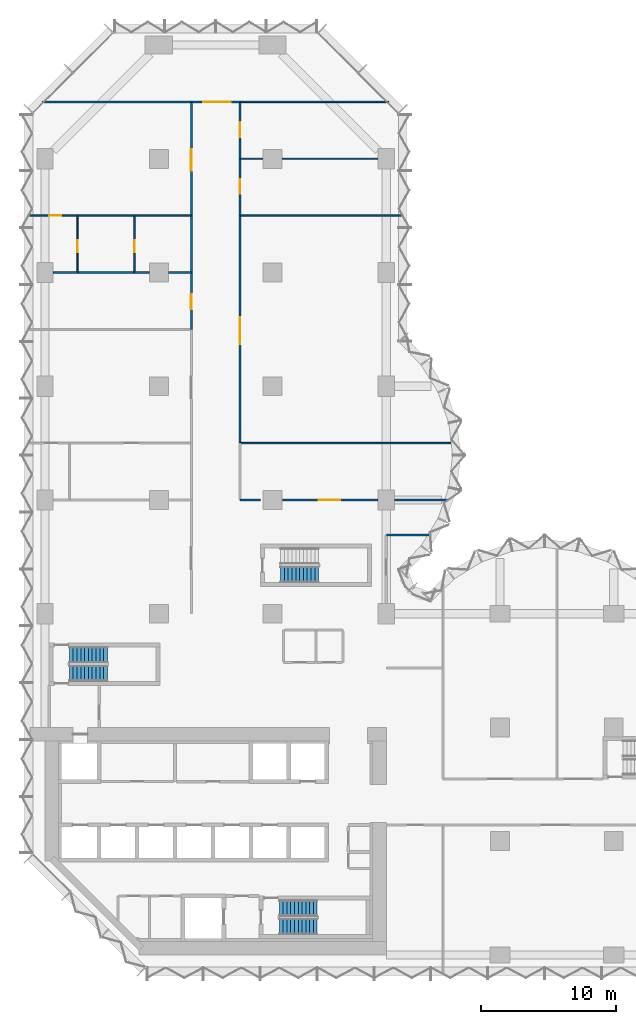
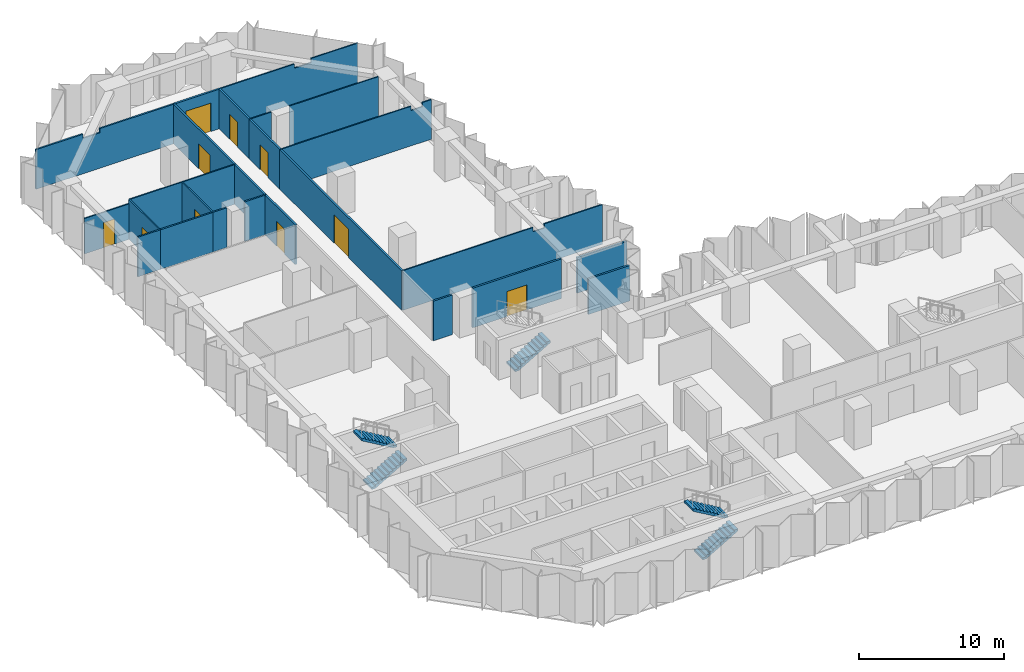
# One storey, part 11 of 15: 26 walls, 10 doors, 5 stair flights, 10 openings, 3 elements without a shape of their own.
"""IFC4 building model written with IfcOpenShell, lengths in metres."""

import ifcopenshell
import ifcopenshell.guid

model = None  # the IFC model being written
_history = None  # IfcOwnerHistory: only IFC2X3 demands one
_inside = {}  # id of a spatial element -> (the spatial element, [elements in it])
_under = {}  # id of a project, library or spatial element -> (it, [spatial elements below it])
_declared = {}  # id of a project -> (the project, [libraries it declares])
_typed = {}  # id of a type object -> (the type object, [elements of that type])
_made_of = {}  # id of a material, layer set ... -> (it, [elements and type objects made of it])


def new_model(schema):
    """Start an empty IFC model of exactly this schema.

    Asked for "IFC4X3", IfcOpenShell would pick the latest addendum, in which some entities
    have other attributes; the version numbers below select the first issue.
    IFC2X3 requires an IfcOwnerHistory on every rooted entity: one is made here for all.
    """
    global model, _history
    if schema == "IFC4X3":
        model = ifcopenshell.file(schema_version=(4, 3, 0, 0))
    else:
        model = ifcopenshell.file(schema=schema)
    _inside.clear()
    _under.clear()
    _declared.clear()
    _typed.clear()
    _made_of.clear()
    _history = None
    if model.schema == "IFC2X3":
        org = make("IfcOrganization", Name="unknown")
        user = make(
            "IfcPersonAndOrganization",
            ThePerson=make("IfcPerson", FamilyName="unknown"),
            TheOrganization=org,
        )
        app = make(
            "IfcApplication",
            ApplicationDeveloper=org,
            Version="unknown",
            ApplicationFullName="unknown",
            ApplicationIdentifier="unknown",
        )
        _history = make(
            "IfcOwnerHistory",
            OwningUser=user,
            OwningApplication=app,
            ChangeAction="ADDED",
            CreationDate=0,
        )
    return model


def make(cls, **values):
    """One entity of the class cls with the attributes given. An attribute that is None is left unset."""
    return model.create_entity(
        cls, **{name: value for name, value in values.items() if value is not None}
    )


def rooted(cls, **values):
    """An entity with a GlobalId (a new one), such as an element, a storey or a relation."""
    return make(cls, GlobalId=ifcopenshell.guid.new(), OwnerHistory=_history, **values)


def si_unit(unit_type, name, prefix=None):
    """IfcSIUnit, for example si_unit("LENGTHUNIT", "METRE", prefix="MILLI")."""
    return make("IfcSIUnit", UnitType=unit_type, Prefix=prefix, Name=name)


def assignment(units):
    """IfcUnitAssignment: the units of a project."""
    return None if units is None else make("IfcUnitAssignment", Units=units)


def point(xyz):
    """IfcCartesianPoint."""
    return None if xyz is None else make("IfcCartesianPoint", Coordinates=xyz)


def direction(xyz):
    """IfcDirection."""
    return None if xyz is None else make("IfcDirection", DirectionRatios=xyz)


def frame(location, z_axis=None, x_axis=None):
    """IfcAxis2Placement3D, a coordinate frame: its origin and axes. An axis left out is left unset."""
    return make(
        "IfcAxis2Placement3D",
        Location=point(location),
        Axis=direction(z_axis),
        RefDirection=direction(x_axis),
    )


def frame_2d(location, x_axis=None):
    """IfcAxis2Placement2D, a coordinate frame in the plane: its origin and x axis."""
    return make(
        "IfcAxis2Placement2D", Location=point(location), RefDirection=direction(x_axis)
    )


def origin():
    """The frame at (0, 0, 0) with its axes left unset."""
    return frame((0.0, 0.0, 0.0))


def place(relative_to, where):
    """IfcLocalPlacement: puts the frame where relative to a parent placement (None: the world)."""
    return make(
        "IfcLocalPlacement", PlacementRelTo=relative_to, RelativePlacement=where
    )


def context(
    kind, dimensions, precision=None, world=None, true_north=None, identifier=None
):
    """IfcGeometricRepresentationContext, for example the 3D "Model" context."""
    return make(
        "IfcGeometricRepresentationContext",
        ContextIdentifier=identifier,
        ContextType=kind,
        CoordinateSpaceDimension=dimensions,
        Precision=precision,
        WorldCoordinateSystem=world,
        TrueNorth=true_north,
    )


def subcontext(parent, identifier, kind, view, scale=None):
    """IfcGeometricRepresentationSubContext, for example "Body" below "Model"."""
    return make(
        "IfcGeometricRepresentationSubContext",
        ContextIdentifier=identifier,
        ContextType=kind,
        ParentContext=parent,
        TargetScale=scale,
        TargetView=view,
    )


def project(units=None, contexts=None):
    """IfcProject with its units and contexts."""
    return rooted(
        "IfcProject",
        Name="project",
        RepresentationContexts=contexts,
        UnitsInContext=assignment(units),
    )


def spatial(cls, under=None, at=None, **own):
    """A site, building, storey or space (cls), placed at a placement, below another one or the project."""
    s = rooted(cls, ObjectPlacement=at, **own)
    if under is not None:
        _under.setdefault(under.id(), (under, []))[1].append(s)
    return s


def polyline(points):
    """IfcPolyline through the points."""
    return make("IfcPolyline", Points=[point(p) for p in points])


def profile(cls, at=None, kind="AREA", **sizes):
    """A parametric profile (cls). Its sizes go by their IFC names, for example OverallWidth=200.0."""
    return make(cls, ProfileType=kind, Position=at, **sizes)


def rectangle(**sizes):
    """IfcRectangleProfileDef."""
    return profile("IfcRectangleProfileDef", **sizes)


def outline(outer, holes=None, kind="AREA"):
    """IfcArbitraryClosedProfileDef: a profile drawn as a closed curve; with holes, ...WithVoids."""
    if holes is None:
        return make("IfcArbitraryClosedProfileDef", ProfileType=kind, OuterCurve=outer)
    return make(
        "IfcArbitraryProfileDefWithVoids",
        ProfileType=kind,
        OuterCurve=outer,
        InnerCurves=holes,
    )


def extrude(swept, where, along, depth):
    """IfcExtrudedAreaSolid: the profile swept, set in the frame where, extruded along a direction by depth."""
    return make(
        "IfcExtrudedAreaSolid",
        SweptArea=swept,
        Position=where,
        ExtrudedDirection=direction(along),
        Depth=depth,
    )


def shape(context_of_items, identifier, shape_type, items):
    """IfcShapeRepresentation: the items that make up one representation, for example the "Body"."""
    return make(
        "IfcShapeRepresentation",
        ContextOfItems=context_of_items,
        RepresentationIdentifier=identifier,
        RepresentationType=shape_type,
        Items=items,
    )


def material(Name=None, Category=None):
    """IfcMaterial."""
    return make("IfcMaterial", Name=Name, Category=Category)


def layer(
    of_material, thickness, ventilated=None, Name=None, Category=None, Priority=None
):
    """IfcMaterialLayer: one layer of a wall or slab, of a material (None: an air gap)."""
    return make(
        "IfcMaterialLayer",
        Material=of_material,
        LayerThickness=thickness,
        IsVentilated=ventilated,
        Name=Name,
        Category=Category,
        Priority=Priority,
    )


def layer_set(layers, Name=None):
    """IfcMaterialLayerSet."""
    return make("IfcMaterialLayerSet", MaterialLayers=layers, LayerSetName=Name)


def made_of(thing, what):
    """Note that an element or type object is made of a material, layer set ...; save() writes the relation."""
    if what is not None:
        _made_of.setdefault(what.id(), (what, []))[1].append(thing)
    return thing


def type_object(cls, material=None, **own):
    """A type object (cls), such as IfcWallType, which elements share."""
    return made_of(rooted(cls, **own), material)


def element(
    cls,
    number,
    at=None,
    inside=None,
    cuts=None,
    type_object=None,
    material=None,
    context=None,
    identifier="Body",
    shape_type=None,
    held_by="IfcProductDefinitionShape",
    body=None,
    shapes=None,
    **own,
):
    """One element of the class cls, such as IfcWall. Its Tag is "e" and its number.

    at: its placement. inside: the storey or other place that contains it. cuts: it is an
    opening in that element (IfcRelVoidsElement). A single representation is given by context,
    identifier, shape_type and body (its items); several are given by shapes. held_by: the class
    of the entity that holds the representations. save() writes the other relations.
    """
    e = rooted(cls, Tag="e%d" % number, ObjectPlacement=at, **own)
    if body is not None:
        shapes = [shape(context, identifier, shape_type, body)]
    if shapes is not None:
        e.Representation = make(held_by, Representations=shapes)
    if inside is not None:
        _inside.setdefault(inside.id(), (inside, []))[1].append(e)
    if cuts is not None:
        rooted(
            "IfcRelVoidsElement", RelatingBuildingElement=cuts, RelatedOpeningElement=e
        )
    if type_object is not None:
        _typed.setdefault(type_object.id(), (type_object, []))[1].append(e)
    return made_of(e, material)


def fill(opening, filler):
    """IfcRelFillsElement: the door or window that sits in an opening."""
    return rooted(
        "IfcRelFillsElement",
        RelatingOpeningElement=opening,
        RelatedBuildingElement=filler,
    )


def aggregate(whole, parts):
    """IfcRelAggregates: a whole, such as a stair, and the parts it consists of."""
    return rooted("IfcRelAggregates", RelatingObject=whole, RelatedObjects=parts)


def save(model, path):
    """Write the relations noted so far, then the file.

    IfcRelAggregates (storeys below a building ...), IfcRelContainedInSpatialStructure (elements
    in a storey), IfcRelDefinesByType, IfcRelAssociatesMaterial and IfcRelDeclares: one each for
    every whole, place, type object, material and project.
    """
    for whole, parts in _under.values():
        aggregate(whole, parts)
    for where, things in _inside.values():
        rooted(
            "IfcRelContainedInSpatialStructure",
            RelatedElements=things,
            RelatingStructure=where,
        )
    for kind, things in _typed.values():
        rooted("IfcRelDefinesByType", RelatedObjects=things, RelatingType=kind)
    for what, things in _made_of.values():
        rooted("IfcRelAssociatesMaterial", RelatedObjects=things, RelatingMaterial=what)
    for by, libraries in _declared.values():
        rooted("IfcRelDeclares", RelatingContext=by, RelatedDefinitions=libraries)
    model.write(path)


model = new_model("IFC4")

# Units and contexts
model_context = context("Model", 3, precision=1e-05, world=origin(), true_north=direction((0.0, 1.0)))
body_context = subcontext(model_context, "Body", "Model", "MODEL_VIEW")
ifc_project = project(units=[si_unit("LENGTHUNIT", "METRE"), si_unit("AREAUNIT", "SQUARE_METRE"), si_unit("VOLUMEUNIT", "CUBIC_METRE"), si_unit("PLANEANGLEUNIT", "RADIAN"), si_unit("MASSUNIT", "GRAM", prefix="KILO")], contexts=[model_context])

# Site, building, storey
site_placement = place(None, origin())
site = spatial("IfcSite", under=ifc_project, at=site_placement, CompositionType="ELEMENT")
building_placement = place(site_placement, origin())
building = spatial("IfcBuilding", under=site, at=building_placement, Name="Brevane Broadcast Tower", CompositionType="ELEMENT")
storey_placement = place(building_placement, frame((0.0, 0.0, 79.699951171875)))
storey = spatial("IfcBuildingStorey", under=building, at=storey_placement, Name="L18", CompositionType="ELEMENT", Elevation=79.699951171875)

# Wall
ifc_material_1 = material(Name="Gypsum board partition")
ifc_layer_1 = layer(ifc_material_1, 0.10009765625)
ifc_layer_set_1 = layer_set([ifc_layer_1], Name="PARTITION 100 STUD")
wall_type_1 = type_object("IfcWallType", Name="PARTITION 100 STUD", PredefinedType="PARTITIONING", material=ifc_layer_set_1)
wall_1_placement = place(storey_placement, frame((25.39990234375, 63.0, 0.0), z_axis=(0.0, 0.0, 1.0), x_axis=(-1.0, 0.0, 0.0)))
element("IfcWall", 1, at=wall_1_placement, inside=storey, type_object=wall_type_1, Name="Partition G05-040", PredefinedType="PARTITIONING", context=body_context, shape_type="SweptSolid", body=[
    extrude(outline(polyline([(0.0, 0.0), (11.0, 0.0), (11.0, 3.330078125), (5.065673828125, 3.330078125), (5.063720703125, 2.97998046875), (3.736328125, 2.97998046875), (3.734375, 3.330078125), (0.0, 3.330078125), (0.0, 0.0)])), frame((0.0, 0.050048828125, 0.0), z_axis=(0.0, -1.0, 0.0), x_axis=(1.0, 0.0, 0.0)), (0.0, 0.0, 1.0), 0.10009765625),
])

# Wall, opening, door
wall_2_placement = place(storey_placement, frame((2.39990234375, 54.60009765625, 0.0), z_axis=(0.0, 0.0, 1.0), x_axis=(-1.0, 0.0, 0.0)))
wall_2 = element("IfcWall", 2, at=wall_2_placement, inside=storey, type_object=wall_type_1, Name="Partition G05-052", PredefinedType="PARTITIONING", context=body_context, shape_type="SweptSolid", body=[
    extrude(rectangle(XDim=3.573974609375, YDim=0.10009765625, at=frame_2d((1.787109375, 0.0))), origin(), (0.0, 0.0, 1.0), 2.97998046875),
])
opening_1_placement = place(wall_2_placement, frame((1.199951171875, 0.0, 0.0)))
opening_1 = element("IfcOpeningElement", 3, at=opening_1_placement, cuts=wall_2, Name="Opening D11-018", PredefinedType="OPENING", context=body_context, shape_type="SweptSolid", body=[
    extrude(rectangle(XDim=0.89990234375, YDim=2.10009765625, at=frame_2d((0.449951171875, 1.050048828125))), frame((0.0, 0.06005859375, 0.0), z_axis=(0.0, -1.0, 0.0), x_axis=(1.0, 0.0, 0.0)), (0.0, 0.0, 1.0), 0.1201171875),
])
ifc_material_2 = material(Name="Timber door leaf", Category="wood")
door_type_1 = type_object("IfcDoorType", Name="DOOR SINGLE 900 INTERNAL", OperationType="SINGLE_SWING_LEFT", PredefinedType="DOOR", material=ifc_material_2)
door_1_placement = place(opening_1_placement, origin())
door_1 = element("IfcDoor", 4, at=door_1_placement, inside=storey, type_object=door_type_1, Name="Door D11-018", OperationType="SINGLE_SWING_LEFT", OverallHeight=2.10009765625, OverallWidth=0.89990234375, PredefinedType="DOOR", context=body_context, shape_type="SweptSolid", body=[
    extrude(rectangle(XDim=0.89990234375, YDim=2.10009765625, at=frame_2d((0.449951171875, 1.050048828125))), frame((0.0, 0.02490234375, 0.0), z_axis=(0.0, -1.0, 0.0), x_axis=(1.0, 0.0, 0.0)), (0.0, 0.0, 1.0), 0.050048828125),
])
fill(opening_1, door_1)

# Walls
wall_3_placement = place(storey_placement, frame((6.60009765625, 54.60009765625, 0.0), z_axis=(0.0, 0.0, 1.0), x_axis=(-1.0, 0.0, 0.0)))
element("IfcWall", 5, at=wall_3_placement, inside=storey, type_object=wall_type_1, Name="Partition G05-053", PredefinedType="PARTITIONING", context=body_context, shape_type="SweptSolid", body=[
    extrude(rectangle(XDim=4.2001953125, YDim=0.10009765625, at=frame_2d((2.10009765625, 0.0))), origin(), (0.0, 0.0, 1.0), 3.330078125),
])
wall_4_placement = place(storey_placement, frame((10.800048828125, 54.60009765625, 0.0), z_axis=(0.0, 0.0, 1.0), x_axis=(-1.0, 0.0, 0.0)))
element("IfcWall", 6, at=wall_4_placement, inside=storey, type_object=wall_type_1, Name="Partition G05-054", PredefinedType="PARTITIONING", context=body_context, shape_type="SweptSolid", body=[
    extrude(rectangle(XDim=4.199951171875, YDim=0.10009765625, at=frame_2d((2.10009765625, 0.0))), origin(), (0.0, 0.0, 1.0), 3.330078125),
])

# Wall, opening, door
wall_5_placement = place(storey_placement, frame((2.39990234375, 54.60009765625, 0.0), z_axis=(0.0, 0.0, 1.0), x_axis=(0.0, -1.0, 0.0)))
wall_5 = element("IfcWall", 7, at=wall_5_placement, inside=storey, type_object=wall_type_1, Name="Partition G05-055", PredefinedType="PARTITIONING", context=body_context, shape_type="SweptSolid", body=[
    extrude(rectangle(XDim=4.2001953125, YDim=0.10009765625, at=frame_2d((2.10009765625, 0.0))), origin(), (0.0, 0.0, 1.0), 3.330078125),
])
opening_2_placement = place(wall_5_placement, frame((1.800048828125, 0.0, 0.0)))
opening_2 = element("IfcOpeningElement", 8, at=opening_2_placement, cuts=wall_5, Name="Opening D11-019", PredefinedType="OPENING", context=body_context, shape_type="SweptSolid", body=[
    extrude(rectangle(XDim=0.89990234375, YDim=2.10009765625, at=frame_2d((0.449951171875, 1.050048828125))), frame((0.0, 0.06005859375, 0.0), z_axis=(0.0, -1.0, 0.0), x_axis=(1.0, 0.0, 0.0)), (0.0, 0.0, 1.0), 0.1201171875),
])
door_2_placement = place(opening_2_placement, origin())
door_2 = element("IfcDoor", 9, at=door_2_placement, inside=storey, type_object=door_type_1, Name="Door D11-019", OperationType="SINGLE_SWING_LEFT", OverallHeight=2.10009765625, OverallWidth=0.89990234375, PredefinedType="DOOR", context=body_context, shape_type="SweptSolid", body=[
    extrude(rectangle(XDim=0.89990234375, YDim=2.10009765625, at=frame_2d((0.449951171875, 1.050048828125))), frame((0.0, 0.02490234375, 0.0), z_axis=(0.0, -1.0, 0.0), x_axis=(1.0, 0.0, 0.0)), (0.0, 0.0, 1.0), 0.050048828125),
])
fill(opening_2, door_2)

wall_6_placement = place(storey_placement, frame((6.60009765625, 54.60009765625, 0.0), z_axis=(0.0, 0.0, 1.0), x_axis=(0.0, -1.0, 0.0)))
wall_6 = element("IfcWall", 10, at=wall_6_placement, inside=storey, type_object=wall_type_1, Name="Partition G05-056", PredefinedType="PARTITIONING", context=body_context, shape_type="SweptSolid", body=[
    extrude(rectangle(XDim=4.2001953125, YDim=0.10009765625, at=frame_2d((2.10009765625, 0.0))), origin(), (0.0, 0.0, 1.0), 3.330078125),
])
opening_3_placement = place(wall_6_placement, frame((1.800048828125, 0.0, 0.0)))
opening_3 = element("IfcOpeningElement", 11, at=opening_3_placement, cuts=wall_6, Name="Opening D11-020", PredefinedType="OPENING", context=body_context, shape_type="SweptSolid", body=[
    extrude(rectangle(XDim=0.89990234375, YDim=2.10009765625, at=frame_2d((0.449951171875, 1.050048828125))), frame((0.0, 0.06005859375, 0.0), z_axis=(0.0, -1.0, 0.0), x_axis=(1.0, 0.0, 0.0)), (0.0, 0.0, 1.0), 0.1201171875),
])
door_3_placement = place(opening_3_placement, origin())
door_3 = element("IfcDoor", 12, at=door_3_placement, inside=storey, type_object=door_type_1, Name="Door D11-020", OperationType="SINGLE_SWING_LEFT", OverallHeight=2.10009765625, OverallWidth=0.89990234375, PredefinedType="DOOR", context=body_context, shape_type="SweptSolid", body=[
    extrude(rectangle(XDim=0.89990234375, YDim=2.10009765625, at=frame_2d((0.449951171875, 1.050048828125))), frame((0.0, 0.02490234375, 0.0), z_axis=(0.0, -1.0, 0.0), x_axis=(1.0, 0.0, 0.0)), (0.0, 0.0, 1.0), 0.050048828125),
])
fill(opening_3, door_3)

# Walls
wall_7_placement = place(storey_placement, frame((14.39990234375, 37.800048828125, 0.0), z_axis=(0.0, 0.0, 1.0), x_axis=(1.0, 0.0, 0.0)))
element("IfcWall", 13, at=wall_7_placement, inside=storey, type_object=wall_type_1, Name="Partition G05-057", PredefinedType="PARTITIONING", context=body_context, shape_type="SweptSolid", body=[
    extrude(outline(polyline([(0.0, 0.0), (15.8427734375, 0.0), (15.8427734375, 3.330078125), (11.25, 3.330078125), (11.248046875, 2.97998046875), (10.35205078125, 2.97998046875), (10.35009765625, 3.330078125), (0.0, 3.330078125), (0.0, 0.0)])), frame((0.0, 0.050048828125, 0.0), z_axis=(0.0, -1.0, 0.0), x_axis=(1.0, 0.0, 0.0)), (0.0, 0.0, 1.0), 0.10009765625),
])
wall_8_placement = place(storey_placement, frame((14.39990234375, 54.60009765625, 0.0), z_axis=(0.0, 0.0, 1.0), x_axis=(1.0, 0.0, 0.0)))
element("IfcWall", 14, at=wall_8_placement, inside=storey, type_object=wall_type_1, Name="Partition G05-058", PredefinedType="PARTITIONING", context=body_context, shape_type="SweptSolid", body=[
    extrude(outline(polyline([(0.0, 0.0), (11.97412109375, 0.0), (11.97412109375, 3.330078125), (11.89990234375, 3.330078125), (11.25, 3.330078125), (11.248046875, 2.97998046875), (10.35205078125, 2.97998046875), (10.35009765625, 3.330078125), (0.0, 3.330078125), (0.0, 0.0)])), frame((0.0, 0.050048828125, 0.0), z_axis=(0.0, -1.0, 0.0), x_axis=(1.0, 0.0, 0.0)), (0.0, 0.0, 1.0), 0.10009765625),
])
wall_9_placement = place(storey_placement, frame((14.39990234375, 58.800048828125, 0.0), z_axis=(0.0, 0.0, 1.0), x_axis=(1.0, 0.0, 0.0)))
element("IfcWall", 15, at=wall_9_placement, inside=storey, type_object=wall_type_1, Name="Partition G05-059", PredefinedType="PARTITIONING", context=body_context, shape_type="SweptSolid", body=[
    extrude(rectangle(XDim=1.68017578125, YDim=0.10009765625, at=frame_2d((0.840087890625, 0.0))), origin(), (0.0, 0.0, 1.0), 3.330078125),
])
wall_10_placement = place(storey_placement, frame((17.52001953125, 58.800048828125, 0.0), z_axis=(0.0, 0.0, 1.0), x_axis=(1.0, 0.0, 0.0)))
element("IfcWall", 16, at=wall_10_placement, inside=storey, type_object=wall_type_1, Name="Partition G05-060", PredefinedType="PARTITIONING", context=body_context, shape_type="SweptSolid", body=[
    extrude(rectangle(XDim=7.06005859375, YDim=0.10009765625, at=frame_2d((3.530029296875, 0.0))), origin(), (0.0, 0.0, 1.0), 3.330078125),
])
ifc_layer_2 = layer(ifc_material_1, 0.125)
ifc_layer_set_2 = layer_set([ifc_layer_2], Name="PARTITION 125 ACOUSTIC")
wall_type_2 = type_object("IfcWallType", Name="PARTITION 125 ACOUSTIC", PredefinedType="PARTITIONING", material=ifc_layer_set_2)
wall_11_placement = place(storey_placement, frame((10.800048828125, 63.0, 0.0), z_axis=(0.0, 0.0, 1.0), x_axis=(-1.0, 0.0, 0.0)))
element("IfcWall", 17, at=wall_11_placement, inside=storey, type_object=wall_type_2, Name="Partition G05-039", PredefinedType="PARTITIONING", context=body_context, shape_type="SweptSolid", body=[
    extrude(outline(polyline([(0.0, 0.0), (11.0, 0.0), (11.0, 3.330078125), (7.278076171875, 3.330078125), (7.276123046875, 2.97998046875), (5.923828125, 2.97998046875), (5.921875, 3.330078125), (0.0, 3.330078125), (0.0, 0.0)])), frame((0.0, 0.0625, 0.0), z_axis=(0.0, -1.0, 0.0), x_axis=(1.0, 0.0, 0.0)), (0.0, 0.0, 1.0), 0.125),
])
wall_12_placement = place(storey_placement, frame((0.6201171875, 50.39990234375, 0.0), z_axis=(0.0, 0.0, 1.0), x_axis=(1.0, 0.0, 0.0)))
element("IfcWall", 18, at=wall_12_placement, inside=storey, type_object=wall_type_2, Name="Partition G05-048", PredefinedType="PARTITIONING", context=body_context, shape_type="SweptSolid", body=[
    extrude(rectangle(XDim=1.77978515625, YDim=0.125, at=frame_2d((0.889892578125, 0.0))), origin(), (0.0, 0.0, 1.0), 3.330078125),
])
wall_13_placement = place(storey_placement, frame((2.39990234375, 50.39990234375, 0.0), z_axis=(0.0, 0.0, 1.0), x_axis=(1.0, 0.0, 0.0)))
element("IfcWall", 19, at=wall_13_placement, inside=storey, type_object=wall_type_2, Name="Partition G05-049", PredefinedType="PARTITIONING", context=body_context, shape_type="SweptSolid", body=[
    extrude(rectangle(XDim=4.2001953125, YDim=0.125, at=frame_2d((2.10009765625, 0.0))), origin(), (0.0, 0.0, 1.0), 3.330078125),
])
wall_14_placement = place(storey_placement, frame((6.60009765625, 50.39990234375, 0.0), z_axis=(0.0, 0.0, 1.0), x_axis=(1.0, 0.0, 0.0)))
element("IfcWall", 20, at=wall_14_placement, inside=storey, type_object=wall_type_2, Name="Partition G05-050", PredefinedType="PARTITIONING", context=body_context, shape_type="SweptSolid", body=[
    extrude(rectangle(XDim=1.079833984375, YDim=0.125, at=frame_2d((0.5400390625, 0.0))), origin(), (0.0, 0.0, 1.0), 3.330078125),
])
wall_15_placement = place(storey_placement, frame((9.1201171875, 50.39990234375, 0.0), z_axis=(0.0, 0.0, 1.0), x_axis=(1.0, 0.0, 0.0)))
element("IfcWall", 21, at=wall_15_placement, inside=storey, type_object=wall_type_2, Name="Partition G05-051", PredefinedType="PARTITIONING", context=body_context, shape_type="SweptSolid", body=[
    extrude(rectangle(XDim=1.679931640625, YDim=0.125, at=frame_2d((0.83984375, 0.0))), origin(), (0.0, 0.0, 1.0), 3.330078125),
])
ifc_layer_3 = layer(ifc_material_1, 0.14990234375)
ifc_layer_set_3 = layer_set([ifc_layer_3], Name="PARTITION 150 EI 60")
wall_type_3 = type_object("IfcWallType", Name="PARTITION 150 EI 60", PredefinedType="PARTITIONING", material=ifc_layer_set_3)
wall_16_placement = place(storey_placement, frame((25.199951171875, 31.0, 0.0), z_axis=(0.0, 0.0, 1.0), x_axis=(1.0, 0.0, 0.0)))
element("IfcWall", 22, at=wall_16_placement, inside=storey, type_object=wall_type_3, Name="Partition G05-006", PredefinedType="PARTITIONING", context=body_context, shape_type="SweptSolid", body=[
    extrude(rectangle(XDim=3.32421875, YDim=0.14990234375, at=frame_2d((1.662109375, 0.0))), origin(), (0.0, 0.0, 1.0), 2.97998046875),
])
wall_17_placement = place(storey_placement, frame((14.39990234375, 33.60009765625, 0.0), z_axis=(0.0, 0.0, 1.0), x_axis=(1.0, 0.0, 0.0)))
element("IfcWall", 23, at=wall_17_placement, inside=storey, type_object=wall_type_3, Name="Partition G05-026", PredefinedType="PARTITIONING", context=body_context, shape_type="SweptSolid", body=[
    extrude(rectangle(XDim=1.5, YDim=0.14990234375, at=frame_2d((0.75, 0.0))), origin(), (0.0, 0.0, 1.0), 3.330078125),
])

# Wall, opening, door
wall_18_placement = place(storey_placement, frame((17.52001953125, 33.60009765625, 0.0), z_axis=(0.0, 0.0, 1.0), x_axis=(1.0, 0.0, 0.0)))
wall_18 = element("IfcWall", 24, at=wall_18_placement, inside=storey, type_object=wall_type_3, Name="Partition G05-027", PredefinedType="PARTITIONING", context=body_context, shape_type="SweptSolid", body=[
    extrude(rectangle(XDim=7.06005859375, YDim=0.14990234375, at=frame_2d((3.530029296875, 0.0))), origin(), (0.0, 0.0, 1.0), 3.330078125),
])
opening_4_placement = place(wall_18_placement, frame((2.699951171875, 0.0, 0.0)))
opening_4 = element("IfcOpeningElement", 25, at=opening_4_placement, cuts=wall_18, Name="Opening D11-021", PredefinedType="OPENING", context=body_context, shape_type="SweptSolid", body=[
    extrude(rectangle(XDim=1.60009765625, YDim=2.10009765625, at=frame_2d((0.800048828125, 1.050048828125))), frame((0.0, 0.0849609375, 0.0), z_axis=(0.0, -1.0, 0.0), x_axis=(1.0, 0.0, 0.0)), (0.0, 0.0, 1.0), 0.169921875),
])
ifc_material_3 = material(Name="Fire-rated timber door leaf", Category="wood")
door_type_2 = type_object("IfcDoorType", Name="DOOR DOUBLE 1600 FD30S", OperationType="DOUBLE_DOOR_SINGLE_SWING", PredefinedType="DOOR", material=ifc_material_3)
door_4_placement = place(opening_4_placement, origin())
door_4 = element("IfcDoor", 26, at=door_4_placement, inside=storey, type_object=door_type_2, Name="Door D11-021", OperationType="DOUBLE_DOOR_SINGLE_SWING", OverallHeight=2.10009765625, OverallWidth=1.60009765625, PredefinedType="DOOR", context=body_context, shape_type="SweptSolid", body=[
    extrude(rectangle(XDim=1.60009765625, YDim=2.10009765625, at=frame_2d((0.800048828125, 1.050048828125))), frame((0.0, 0.02490234375, 0.0), z_axis=(0.0, -1.0, 0.0), x_axis=(1.0, 0.0, 0.0)), (0.0, 0.0, 1.0), 0.050048828125),
])
fill(opening_4, door_4)

# Wall
wall_19_placement = place(storey_placement, frame((25.820068359375, 33.60009765625, 0.0), z_axis=(0.0, 0.0, 1.0), x_axis=(1.0, 0.0, 0.0)))
element("IfcWall", 27, at=wall_19_placement, inside=storey, type_object=wall_type_3, Name="Partition G05-028", PredefinedType="PARTITIONING", context=body_context, shape_type="SweptSolid", body=[
    extrude(rectangle(XDim=3.94189453125, YDim=0.14990234375, at=frame_2d((1.970947265625, 0.0))), origin(), (0.0, 0.0, 1.0), 2.97998046875),
])

# Wall, opening, door
wall_20_placement = place(storey_placement, frame((10.800048828125, 63.0, 0.0), z_axis=(0.0, 0.0, 1.0), x_axis=(1.0, 0.0, 0.0)))
wall_20 = element("IfcWall", 28, at=wall_20_placement, inside=storey, type_object=wall_type_3, Name="Partition G05-029", PredefinedType="PARTITIONING", context=body_context, shape_type="SweptSolid", body=[
    extrude(rectangle(XDim=3.599853515625, YDim=0.14990234375, at=frame_2d((1.7998046875, 0.0))), origin(), (0.0, 0.0, 1.0), 3.330078125),
])
opening_5_placement = place(wall_20_placement, frame((0.89990234375, 0.0, 0.0)))
opening_5 = element("IfcOpeningElement", 29, at=opening_5_placement, cuts=wall_20, Name="Opening D11-011", PredefinedType="OPENING", context=body_context, shape_type="SweptSolid", body=[
    extrude(rectangle(XDim=2.0, YDim=2.39990234375, at=frame_2d((1.0, 1.199951171875))), frame((0.0, 0.0849609375, 0.0), z_axis=(0.0, -1.0, 0.0), x_axis=(1.0, 0.0, 0.0)), (0.0, 0.0, 1.0), 0.169921875),
])
door_type_3 = type_object("IfcDoorType", Name="DOOR DOUBLE 2000 FD30S", OperationType="DOUBLE_DOOR_SINGLE_SWING", PredefinedType="DOOR", material=ifc_material_3)
door_5_placement = place(opening_5_placement, origin())
door_5 = element("IfcDoor", 30, at=door_5_placement, inside=storey, type_object=door_type_3, Name="Door D11-011", OperationType="DOUBLE_DOOR_SINGLE_SWING", OverallHeight=2.39990234375, OverallWidth=2.0, PredefinedType="DOOR", context=body_context, shape_type="SweptSolid", body=[
    extrude(rectangle(XDim=2.0, YDim=2.39990234375, at=frame_2d((1.0, 1.199951171875))), frame((0.0, 0.02490234375, 0.0), z_axis=(0.0, -1.0, 0.0), x_axis=(1.0, 0.0, 0.0)), (0.0, 0.0, 1.0), 0.050048828125),
])
fill(opening_5, door_5)

wall_21_placement = place(storey_placement, frame((10.800048828125, 46.199951171875, 0.0), z_axis=(0.0, 0.0, 1.0), x_axis=(0.0, 1.0, 0.0)))
wall_21 = element("IfcWall", 31, at=wall_21_placement, inside=storey, type_object=wall_type_3, Name="Partition G05-032", PredefinedType="PARTITIONING", context=body_context, shape_type="SweptSolid", body=[
    extrude(rectangle(XDim=4.199951171875, YDim=0.14990234375, at=frame_2d((2.10009765625, 0.0))), origin(), (0.0, 0.0, 1.0), 3.330078125),
])
opening_6_placement = place(wall_21_placement, frame((1.5, 0.0, 0.0)))
opening_6 = element("IfcOpeningElement", 32, at=opening_6_placement, cuts=wall_21, Name="Opening D11-016", PredefinedType="OPENING", context=body_context, shape_type="SweptSolid", body=[
    extrude(rectangle(XDim=1.10009765625, YDim=2.10009765625, at=frame_2d((0.550048828125, 1.050048828125))), frame((0.0, 0.0849609375, 0.0), z_axis=(0.0, -1.0, 0.0), x_axis=(1.0, 0.0, 0.0)), (0.0, 0.0, 1.0), 0.169921875),
])
door_type_4 = type_object("IfcDoorType", Name="DOOR SINGLE 1100 FD30S", OperationType="SINGLE_SWING_LEFT", PredefinedType="DOOR", material=ifc_material_3)
door_6_placement = place(opening_6_placement, origin())
door_6 = element("IfcDoor", 33, at=door_6_placement, inside=storey, type_object=door_type_4, Name="Door D11-016", OperationType="SINGLE_SWING_LEFT", OverallHeight=2.10009765625, OverallWidth=1.10009765625, PredefinedType="DOOR", context=body_context, shape_type="SweptSolid", body=[
    extrude(rectangle(XDim=1.10009765625, YDim=2.10009765625, at=frame_2d((0.550048828125, 1.050048828125))), frame((0.0, 0.02490234375, 0.0), z_axis=(0.0, -1.0, 0.0), x_axis=(1.0, 0.0, 0.0)), (0.0, 0.0, 1.0), 0.050048828125),
])
fill(opening_6, door_6)

wall_22_placement = place(storey_placement, frame((10.800048828125, 54.60009765625, 0.0), z_axis=(0.0, 0.0, 1.0), x_axis=(0.0, 1.0, 0.0)))
wall_22 = element("IfcWall", 34, at=wall_22_placement, inside=storey, type_object=wall_type_3, Name="Partition G05-033", PredefinedType="PARTITIONING", context=body_context, shape_type="SweptSolid", body=[
    extrude(rectangle(XDim=8.39990234375, YDim=0.14990234375, at=frame_2d((4.199951171875, 0.0))), origin(), (0.0, 0.0, 1.0), 3.330078125),
])
opening_7_placement = place(wall_22_placement, frame((3.300048828125, 0.0, 0.0)))
opening_7 = element("IfcOpeningElement", 35, at=opening_7_placement, cuts=wall_22, Name="Opening D11-017", PredefinedType="OPENING", context=body_context, shape_type="SweptSolid", body=[
    extrude(rectangle(XDim=1.60009765625, YDim=2.10009765625, at=frame_2d((0.800048828125, 1.050048828125))), frame((0.0, 0.0849609375, 0.0), z_axis=(0.0, -1.0, 0.0), x_axis=(1.0, 0.0, 0.0)), (0.0, 0.0, 1.0), 0.169921875),
])
door_7_placement = place(opening_7_placement, origin())
door_7 = element("IfcDoor", 36, at=door_7_placement, inside=storey, type_object=door_type_2, Name="Door D11-017", OperationType="DOUBLE_DOOR_SINGLE_SWING", OverallHeight=2.10009765625, OverallWidth=1.60009765625, PredefinedType="DOOR", context=body_context, shape_type="SweptSolid", body=[
    extrude(rectangle(XDim=1.60009765625, YDim=2.10009765625, at=frame_2d((0.800048828125, 1.050048828125))), frame((0.0, 0.02490234375, 0.0), z_axis=(0.0, -1.0, 0.0), x_axis=(1.0, 0.0, 0.0)), (0.0, 0.0, 1.0), 0.050048828125),
])
fill(opening_7, door_7)

# Wall
wall_23_placement = place(storey_placement, frame((10.800048828125, 50.39990234375, 0.0), z_axis=(0.0, 0.0, 1.0), x_axis=(0.0, 1.0, 0.0)))
element("IfcWall", 37, at=wall_23_placement, inside=storey, type_object=wall_type_3, Name="Partition G05-034", PredefinedType="PARTITIONING", context=body_context, shape_type="SweptSolid", body=[
    extrude(rectangle(XDim=4.2001953125, YDim=0.14990234375, at=frame_2d((2.10009765625, 0.0))), origin(), (0.0, 0.0, 1.0), 3.330078125),
])

# Wall, opening, door
wall_24_placement = place(storey_placement, frame((14.39990234375, 54.60009765625, 0.0), z_axis=(0.0, 0.0, 1.0), x_axis=(0.0, -1.0, 0.0)))
wall_24 = element("IfcWall", 38, at=wall_24_placement, inside=storey, type_object=wall_type_3, Name="Partition G05-036", PredefinedType="PARTITIONING", context=body_context, shape_type="SweptSolid", body=[
    extrude(rectangle(XDim=16.800048828125, YDim=0.14990234375, at=frame_2d((8.39990234375, 0.0))), origin(), (0.0, 0.0, 1.0), 3.330078125),
])
opening_8_placement = place(wall_24_placement, frame((7.5, 0.0, 0.0)))
opening_8 = element("IfcOpeningElement", 39, at=opening_8_placement, cuts=wall_24, Name="Opening D11-022", PredefinedType="OPENING", context=body_context, shape_type="SweptSolid", body=[
    extrude(rectangle(XDim=2.0, YDim=2.39990234375, at=frame_2d((1.0, 1.199951171875))), frame((0.0, 0.0849609375, 0.0), z_axis=(0.0, -1.0, 0.0), x_axis=(1.0, 0.0, 0.0)), (0.0, 0.0, 1.0), 0.169921875),
])
door_8_placement = place(opening_8_placement, origin())
door_8 = element("IfcDoor", 40, at=door_8_placement, inside=storey, type_object=door_type_3, Name="Door D11-022", OperationType="DOUBLE_DOOR_SINGLE_SWING", OverallHeight=2.39990234375, OverallWidth=2.0, PredefinedType="DOOR", context=body_context, shape_type="SweptSolid", body=[
    extrude(rectangle(XDim=2.0, YDim=2.39990234375, at=frame_2d((1.0, 1.199951171875))), frame((0.0, 0.02490234375, 0.0), z_axis=(0.0, -1.0, 0.0), x_axis=(1.0, 0.0, 0.0)), (0.0, 0.0, 1.0), 0.050048828125),
])
fill(opening_8, door_8)

wall_25_placement = place(storey_placement, frame((14.39990234375, 58.800048828125, 0.0), z_axis=(0.0, 0.0, 1.0), x_axis=(0.0, -1.0, 0.0)))
wall_25 = element("IfcWall", 41, at=wall_25_placement, inside=storey, type_object=wall_type_3, Name="Partition G05-037", PredefinedType="PARTITIONING", context=body_context, shape_type="SweptSolid", body=[
    extrude(rectangle(XDim=4.199951171875, YDim=0.14990234375, at=frame_2d((2.10009765625, 0.0))), origin(), (0.0, 0.0, 1.0), 3.330078125),
])
opening_9_placement = place(wall_25_placement, frame((1.5, 0.0, 0.0)))
opening_9 = element("IfcOpeningElement", 42, at=opening_9_placement, cuts=wall_25, Name="Opening D11-023", PredefinedType="OPENING", context=body_context, shape_type="SweptSolid", body=[
    extrude(rectangle(XDim=1.10009765625, YDim=2.10009765625, at=frame_2d((0.550048828125, 1.050048828125))), frame((0.0, 0.0849609375, 0.0), z_axis=(0.0, -1.0, 0.0), x_axis=(1.0, 0.0, 0.0)), (0.0, 0.0, 1.0), 0.169921875),
])
door_9_placement = place(opening_9_placement, origin())
door_9 = element("IfcDoor", 43, at=door_9_placement, inside=storey, type_object=door_type_4, Name="Door D11-023", OperationType="SINGLE_SWING_LEFT", OverallHeight=2.10009765625, OverallWidth=1.10009765625, PredefinedType="DOOR", context=body_context, shape_type="SweptSolid", body=[
    extrude(rectangle(XDim=1.10009765625, YDim=2.10009765625, at=frame_2d((0.550048828125, 1.050048828125))), frame((0.0, 0.02490234375, 0.0), z_axis=(0.0, -1.0, 0.0), x_axis=(1.0, 0.0, 0.0)), (0.0, 0.0, 1.0), 0.050048828125),
])
fill(opening_9, door_9)

wall_26_placement = place(storey_placement, frame((14.39990234375, 63.0, 0.0), z_axis=(0.0, 0.0, 1.0), x_axis=(0.0, -1.0, 0.0)))
wall_26 = element("IfcWall", 44, at=wall_26_placement, inside=storey, type_object=wall_type_3, Name="Partition G05-038", PredefinedType="PARTITIONING", context=body_context, shape_type="SweptSolid", body=[
    extrude(rectangle(XDim=4.199951171875, YDim=0.14990234375, at=frame_2d((2.10009765625, 0.0))), origin(), (0.0, 0.0, 1.0), 3.330078125),
])
opening_10_placement = place(wall_26_placement, frame((1.5, 0.0, 0.0)))
opening_10 = element("IfcOpeningElement", 45, at=opening_10_placement, cuts=wall_26, Name="Opening D11-024", PredefinedType="OPENING", context=body_context, shape_type="SweptSolid", body=[
    extrude(rectangle(XDim=1.10009765625, YDim=2.10009765625, at=frame_2d((0.550048828125, 1.050048828125))), frame((0.0, 0.0849609375, 0.0), z_axis=(0.0, -1.0, 0.0), x_axis=(1.0, 0.0, 0.0)), (0.0, 0.0, 1.0), 0.169921875),
])
door_10_placement = place(opening_10_placement, origin())
door_10 = element("IfcDoor", 46, at=door_10_placement, inside=storey, type_object=door_type_4, Name="Door D11-024", OperationType="SINGLE_SWING_LEFT", OverallHeight=2.10009765625, OverallWidth=1.10009765625, PredefinedType="DOOR", context=body_context, shape_type="SweptSolid", body=[
    extrude(rectangle(XDim=1.10009765625, YDim=2.10009765625, at=frame_2d((0.550048828125, 1.050048828125))), frame((0.0, 0.02490234375, 0.0), z_axis=(0.0, -1.0, 0.0), x_axis=(1.0, 0.0, 0.0)), (0.0, 0.0, 1.0), 0.050048828125),
])
fill(opening_10, door_10)

# Stair, stair flights
ifc_material_4 = material(Name="Concrete C50/60", Category="concrete")
stair_type = type_object("IfcStairType", Name="Exit stair 22 risers", PredefinedType="HALF_TURN_STAIR", material=ifc_material_4)
stair_1_placement = place(storey_placement, origin())
stair_1 = element("IfcStair", 47, at=stair_1_placement, inside=storey, type_object=stair_type, Name="L18 Exit stair ST-1", PredefinedType="HALF_TURN_STAIR")
stair_flight_type = type_object("IfcStairFlightType", Name="Exit stair flight 22 risers", PredefinedType="STRAIGHT", material=ifc_material_4)
stair_flight_1_placement = place(storey_placement, frame((1.800048828125, 20.800048828125, 0.0), z_axis=(0.0, 0.0, 1.0), x_axis=(1.0, 0.0, 0.0)))
stair_flight_1 = element("IfcStairFlight", 48, at=stair_flight_1_placement, type_object=stair_flight_type, Name="ST-1 flight 1", NumberOfRisers=11, NumberOfTreads=10, PredefinedType="STRAIGHT", RiserHeight=0.163636364, TreadLength=0.28, context=body_context, shape_type="SweptSolid", body=[
    extrude(outline(polyline([(0.0, 0.0), (0.0, 0.16357421875), (0.280029296875, 0.16357421875), (0.280029296875, 0.327392578125), (0.56005859375, 0.327392578125), (0.56005859375, 0.490966796875), (0.840087890625, 0.490966796875), (0.840087890625, 0.654541015625), (1.1201171875, 0.654541015625), (1.1201171875, 0.818115234375), (1.39990234375, 0.818115234375), (1.39990234375, 0.98193359375), (1.679931640625, 0.98193359375), (1.679931640625, 1.1455078125), (1.9599609375, 1.1455078125), (1.9599609375, 1.30908203125), (2.239990234375, 1.30908203125), (2.239990234375, 1.47265625), (2.52001953125, 1.47265625), (2.52001953125, 1.636474609375), (2.800048828125, 1.636474609375), (2.800048828125, 1.800048828125), (2.800048828125, 1.462646484375), (0.297119140625, 0.0), (0.0, 0.0)])), frame((0.0, 0.60009765625, 0.0), z_axis=(0.0, -1.0, 0.0), x_axis=(1.0, 0.0, 0.0)), (0.0, 0.0, 1.0), 1.199951171875),
])
stair_flight_2_placement = place(storey_placement, frame((4.60009765625, 22.14990234375, 1.800048828125), z_axis=(0.0, 0.0, 1.0), x_axis=(-1.0, 0.0, 0.0)))
stair_flight_2 = element("IfcStairFlight", 49, at=stair_flight_2_placement, type_object=stair_flight_type, Name="ST-1 flight 2", NumberOfRisers=11, NumberOfTreads=10, PredefinedType="STRAIGHT", RiserHeight=0.163636364, TreadLength=0.28, context=body_context, shape_type="SweptSolid", body=[
    extrude(outline(polyline([(0.0, 0.0), (0.0, 0.16357421875), (0.280029296875, 0.16357421875), (0.280029296875, 0.327392578125), (0.56005859375, 0.327392578125), (0.56005859375, 0.490966796875), (0.840087890625, 0.490966796875), (0.840087890625, 0.654541015625), (1.1201171875, 0.654541015625), (1.1201171875, 0.818115234375), (1.39990234375, 0.818115234375), (1.39990234375, 0.98193359375), (1.679931640625, 0.98193359375), (1.679931640625, 1.1455078125), (1.9599609375, 1.1455078125), (1.9599609375, 1.30908203125), (2.239990234375, 1.30908203125), (2.239990234375, 1.47265625), (2.52001953125, 1.47265625), (2.52001953125, 1.636474609375), (2.800048828125, 1.636474609375), (2.800048828125, 1.800048828125), (2.800048828125, 1.462646484375), (0.297119140625, 0.0), (0.0, 0.0)])), frame((0.0, 0.60009765625, 0.0), z_axis=(0.0, -1.0, 0.0), x_axis=(1.0, 0.0, 0.0)), (0.0, 0.0, 1.0), 1.199951171875),
])
aggregate(stair_1, [stair_flight_1, stair_flight_2])

stair_2_placement = place(storey_placement, origin())
stair_2 = element("IfcStair", 50, at=stair_2_placement, inside=storey, type_object=stair_type, Name="L18 Exit stair ST-2", PredefinedType="HALF_TURN_STAIR")
stair_flight_3_placement = place(storey_placement, frame((17.300048828125, 2.10009765625, 0.0), z_axis=(0.0, 0.0, 1.0), x_axis=(1.0, 0.0, 0.0)))
stair_flight_3 = element("IfcStairFlight", 51, at=stair_flight_3_placement, type_object=stair_flight_type, Name="ST-2 flight 1", NumberOfRisers=11, NumberOfTreads=10, PredefinedType="STRAIGHT", RiserHeight=0.163636364, TreadLength=0.28, context=body_context, shape_type="SweptSolid", body=[
    extrude(outline(polyline([(0.0, 0.0), (0.0, 0.16357421875), (0.280029296875, 0.16357421875), (0.280029296875, 0.327392578125), (0.56005859375, 0.327392578125), (0.56005859375, 0.490966796875), (0.840087890625, 0.490966796875), (0.840087890625, 0.654541015625), (1.1201171875, 0.654541015625), (1.1201171875, 0.818115234375), (1.39990234375, 0.818115234375), (1.39990234375, 0.98193359375), (1.679931640625, 0.98193359375), (1.679931640625, 1.1455078125), (1.9599609375, 1.1455078125), (1.9599609375, 1.30908203125), (2.239990234375, 1.30908203125), (2.239990234375, 1.47265625), (2.52001953125, 1.47265625), (2.52001953125, 1.636474609375), (2.800048828125, 1.636474609375), (2.800048828125, 1.800048828125), (2.800048828125, 1.462646484375), (0.297119140625, 0.0), (0.0, 0.0)])), frame((0.0, 0.60009765625, 0.0), z_axis=(0.0, -1.0, 0.0), x_axis=(1.0, 0.0, 0.0)), (0.0, 0.0, 1.0), 1.199951171875),
])
stair_flight_4_placement = place(storey_placement, frame((20.10009765625, 3.449951171875, 1.800048828125), z_axis=(0.0, 0.0, 1.0), x_axis=(-1.0, 0.0, 0.0)))
stair_flight_4 = element("IfcStairFlight", 52, at=stair_flight_4_placement, type_object=stair_flight_type, Name="ST-2 flight 2", NumberOfRisers=11, NumberOfTreads=10, PredefinedType="STRAIGHT", RiserHeight=0.163636364, TreadLength=0.28, context=body_context, shape_type="SweptSolid", body=[
    extrude(outline(polyline([(0.0, 0.0), (0.0, 0.16357421875), (0.280029296875, 0.16357421875), (0.280029296875, 0.327392578125), (0.56005859375, 0.327392578125), (0.56005859375, 0.490966796875), (0.840087890625, 0.490966796875), (0.840087890625, 0.654541015625), (1.1201171875, 0.654541015625), (1.1201171875, 0.818115234375), (1.39990234375, 0.818115234375), (1.39990234375, 0.98193359375), (1.679931640625, 0.98193359375), (1.679931640625, 1.1455078125), (1.9599609375, 1.1455078125), (1.9599609375, 1.30908203125), (2.239990234375, 1.30908203125), (2.239990234375, 1.47265625), (2.52001953125, 1.47265625), (2.52001953125, 1.636474609375), (2.800048828125, 1.636474609375), (2.800048828125, 1.800048828125), (2.800048828125, 1.462646484375), (0.297119140625, 0.0), (0.0, 0.0)])), frame((0.0, 0.60009765625, 0.0), z_axis=(0.0, -1.0, 0.0), x_axis=(1.0, 0.0, 0.0)), (0.0, 0.0, 1.0), 1.199951171875),
])
aggregate(stair_2, [stair_flight_3, stair_flight_4])

# Stair, stair flight
stair_3_placement = place(storey_placement, origin())
stair_3 = element("IfcStair", 53, at=stair_3_placement, inside=storey, type_object=stair_type, Name="L18 Exit stair ST-3", PredefinedType="HALF_TURN_STAIR")
stair_flight_5_placement = place(storey_placement, frame((17.39990234375, 28.10009765625, 0.0), z_axis=(0.0, 0.0, 1.0), x_axis=(1.0, 0.0, 0.0)))
stair_flight_5 = element("IfcStairFlight", 54, at=stair_flight_5_placement, type_object=stair_flight_type, Name="ST-3 flight 1", NumberOfRisers=11, NumberOfTreads=10, PredefinedType="STRAIGHT", RiserHeight=0.163636364, TreadLength=0.28, context=body_context, shape_type="SweptSolid", body=[
    extrude(outline(polyline([(0.0, 0.0), (0.0, 0.16357421875), (0.280029296875, 0.16357421875), (0.280029296875, 0.327392578125), (0.56005859375, 0.327392578125), (0.56005859375, 0.490966796875), (0.840087890625, 0.490966796875), (0.840087890625, 0.654541015625), (1.1201171875, 0.654541015625), (1.1201171875, 0.818115234375), (1.39990234375, 0.818115234375), (1.39990234375, 0.98193359375), (1.679931640625, 0.98193359375), (1.679931640625, 1.1455078125), (1.9599609375, 1.1455078125), (1.9599609375, 1.30908203125), (2.239990234375, 1.30908203125), (2.239990234375, 1.47265625), (2.52001953125, 1.47265625), (2.52001953125, 1.636474609375), (2.800048828125, 1.636474609375), (2.800048828125, 1.800048828125), (2.800048828125, 1.462646484375), (0.297119140625, 0.0), (0.0, 0.0)])), frame((0.0, 0.60009765625, 0.0), z_axis=(0.0, -1.0, 0.0), x_axis=(1.0, 0.0, 0.0)), (0.0, 0.0, 1.0), 1.199951171875),
])
aggregate(stair_3, [stair_flight_5])

save(model, "model.ifc")
